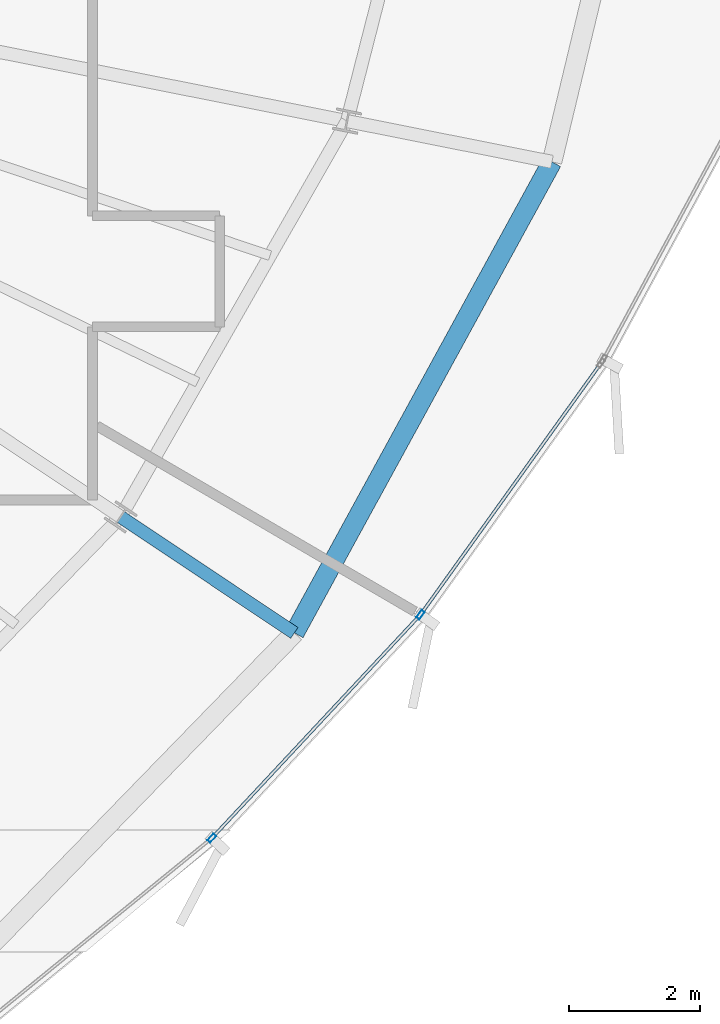
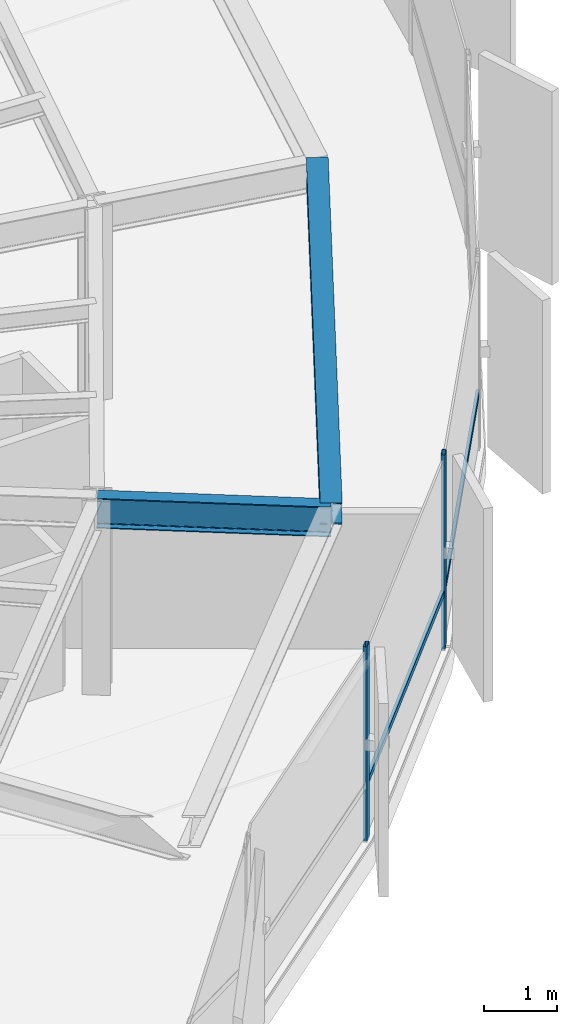
# One storey, part 15 of 36: 4 members, 2 beams, 1 element without a shape of its own.
"""IFC4 building model written with IfcOpenShell, lengths in metres."""

from ifc_helpers import new_model, si_unit, direction, frame, origin, origin_2d, place, context, subcontext, project, spatial, hollow_rectangle, i_section, extrude, source, transform, mapped, material, layer, layer_set, material_profile, profile_set, type_object, element, aggregate, save


model = new_model("IFC4")

# Units and contexts
model_context = context("Model", 3, precision=1e-05, world=origin(), true_north=direction((0.0, 1.0)))
body_context = subcontext(model_context, "Body", "Model", "MODEL_VIEW")
ifc_project = project(units=[si_unit("LENGTHUNIT", "METRE"), si_unit("AREAUNIT", "SQUARE_METRE"), si_unit("VOLUMEUNIT", "CUBIC_METRE"), si_unit("PLANEANGLEUNIT", "RADIAN"), si_unit("MASSUNIT", "GRAM", prefix="KILO"), si_unit("THERMODYNAMICTEMPERATUREUNIT", "KELVIN")], contexts=[model_context])

# Site, building, storey
site_placement = place(None, origin())
site = spatial("IfcSite", under=ifc_project, at=site_placement, CompositionType="ELEMENT")
building_placement = place(site_placement, origin())
building = spatial("IfcBuilding", under=site, at=building_placement, Name="Kethvar Cultural Tower", CompositionType="ELEMENT")
storey_placement = place(building_placement, frame((0.0, 0.0, 176.39990234375)))
storey = spatial("IfcBuildingStorey", under=building, at=storey_placement, Name="L45", CompositionType="ELEMENT", Elevation=176.39990234375)

# Beams
ifc_material_1 = material(Name="Steel S355J2", Category="steel")
ifc_material_profile_1 = material_profile(ifc_material_1, i_section(OverallWidth=0.199951171875, OverallDepth=0.5, WebThickness=0.01025390625, FlangeThickness=0.01611328125, FilletRadius=0.02099609375, at=origin_2d()), Name="Steel S355J2 — IPE500")
ifc_profile_set_1 = profile_set([ifc_material_profile_1], Name="Steel S355J2 — IPE500")
beam_type_1 = type_object("IfcBeamType", Name="BM-IPE500", PredefinedType="BEAM", material=ifc_profile_set_1)
shared_shape_1 = source(origin(), body_context, "Body", "SweptSolid", [
    extrude(i_section(OverallWidth=0.199951171875, OverallDepth=0.5, WebThickness=0.01025390625, FlangeThickness=0.01611328125, FilletRadius=0.02099609375, at=origin_2d()), origin(), (0.0, 0.0, 1.0), 3.199951171875),
])
beam_1_placement = place(storey_placement, frame((61.1826171875, 18.18994140625, 3.008056640625), z_axis=(0.831462943996, -0.555580212716, 0.0), x_axis=(0.555580212716, 0.831462943996, 0.0)))
element("IfcBeam", 1, at=beam_1_placement, inside=storey, type_object=beam_type_1, Name="L45 Perimeter Cantilever Beam RC-15", PredefinedType="BEAM", context=body_context, shape_type="MappedRepresentation", body=[
    mapped(shared_shape_1, transform((0.0, 0.0, 0.0), scale=1.0)),
])
ifc_material_profile_2 = material_profile(ifc_material_1, i_section(OverallWidth=0.300048828125, OverallDepth=0.360107421875, WebThickness=0.012451171875, FlangeThickness=0.0224609375, FilletRadius=0.027099609375, at=origin_2d()), Name="Steel S355J2 — HEB360")
ifc_profile_set_2 = profile_set([ifc_material_profile_2], Name="Steel S355J2 — HEB360")
beam_type_2 = type_object("IfcBeamType", Name="BM-SP360", PredefinedType="SPANDREL", material=ifc_profile_set_2)
shared_shape_2 = source(origin(), body_context, "Body", "SweptSolid", [
    extrude(i_section(OverallWidth=0.300048828125, OverallDepth=0.360107421875, WebThickness=0.012451171875, FlangeThickness=0.0224609375, FilletRadius=0.027099609375, at=origin_2d()), origin(), (0.0, 0.0, 1.0), 8.22119140625),
])
beam_2_placement = place(storey_placement, frame((63.84326171875, 16.412109375, 3.078125), z_axis=(0.479721613821, 0.8774207504, 0.0), x_axis=(-0.8774207504, 0.479721613821, 0.0)))
element("IfcBeam", 2, at=beam_2_placement, inside=storey, type_object=beam_type_2, Name="L45 Perimeter Spandrel Beam SP-15", PredefinedType="SPANDREL", context=body_context, shape_type="MappedRepresentation", body=[
    mapped(shared_shape_2, transform((0.0, 0.0, 0.0), scale=1.0)),
])

# Curtain wall, members
ifc_material_2 = material(Name="Aluminium 6063-T6", Category="aluminium")
ifc_layer = layer(ifc_material_2, 0.179931640625, Name="Aluminium 6063-T6", Category="aluminium")
ifc_layer_set = layer_set([ifc_layer], Name="Aluminium 6063-T6 (180 mm)")
curtain_wall_type = type_object("IfcCurtainWallType", Name="CW-SYS-04-Z34", PredefinedType="NOTDEFINED", material=ifc_layer_set)
curtain_wall_placement = place(storey_placement, origin())
curtain_wall = element("IfcCurtainWall", 3, at=curtain_wall_placement, inside=storey, type_object=curtain_wall_type, Name="L45 Curtain Wall Run 05", PredefinedType="NOTDEFINED")
ifc_material_profile_3 = material_profile(ifc_material_2, hollow_rectangle(XDim=0.06005859375, YDim=0.139892578125, WallThickness=0.0048828125, at=origin_2d()), Name="Aluminium 6063-T6 — RHS140x60x5")
ifc_profile_set_3 = profile_set([ifc_material_profile_3], Name="Aluminium 6063-T6 — RHS140x60x5")
member_type_1 = type_object("IfcMemberType", Name="CW-SYS-04-Z34-MUL", PredefinedType="MULLION", material=ifc_profile_set_3)
shared_shape_3 = source(origin(), body_context, "Body", "SweptSolid", [
    extrude(hollow_rectangle(XDim=0.06005859375, YDim=0.139892578125, WallThickness=0.0048828125, at=origin_2d()), origin(), (0.0, 0.0, 1.0), 3.260009765625),
])
member_1_placement = place(storey_placement, frame((62.578125, 13.270263671875, 0.0), z_axis=(0.0, 0.0, 1.0), x_axis=(-0.73091313383, 0.682470505439, 0.0)))
member_1 = element("IfcMember", 4, at=member_1_placement, type_object=member_type_1, Name="CW-L45-R05 Mullion 5", PredefinedType="MULLION", context=body_context, shape_type="MappedRepresentation", body=[
    mapped(shared_shape_3, transform((0.0, 0.0, 0.0), scale=1.0)),
])
member_2_placement = place(storey_placement, frame((65.7734375, 16.69091796875, 0.0), z_axis=(0.0, 0.0, 1.0), x_axis=(-0.812592453382, 0.582832312683, 0.0)))
member_2 = element("IfcMember", 5, at=member_2_placement, type_object=member_type_1, Name="CW-L45-R05 Mullion 6", PredefinedType="MULLION", context=body_context, shape_type="MappedRepresentation", body=[
    mapped(shared_shape_3, transform((0.0, 0.0, 0.0), scale=1.0)),
])
ifc_material_profile_4 = material_profile(ifc_material_2, hollow_rectangle(XDim=0.050048828125, YDim=0.10009765625, WallThickness=0.00390625, at=origin_2d()), Name="Aluminium 6063-T6 — RHS100x50x4")
ifc_profile_set_4 = profile_set([ifc_material_profile_4], Name="Aluminium 6063-T6 — RHS100x50x4")
member_type_2 = type_object("IfcMemberType", Name="CW-SYS-04-Z34-TRN", PredefinedType="USERDEFINED", material=ifc_profile_set_4)
shared_shape_4 = source(origin(), body_context, "Body", "SweptSolid", [
    extrude(hollow_rectangle(XDim=0.050048828125, YDim=0.10009765625, WallThickness=0.00390625, at=origin_2d()), origin(), (0.0, 0.0, 1.0), 4.608642578125),
])
member_3_placement = place(storey_placement, frame((62.607666015625, 13.3017578125, 0.9501953125), z_axis=(0.682456019354, 0.730926659555, 0.0), x_axis=(-0.730926659555, 0.682456019354, 0.0)))
member_3 = element("IfcMember", 6, at=member_3_placement, type_object=member_type_2, Name="CW-L45-R05 Transom 5", ObjectType="TRANSOM", PredefinedType="USERDEFINED", context=body_context, shape_type="MappedRepresentation", body=[
    mapped(shared_shape_4, transform((0.0, 0.0, 0.0), scale=1.0)),
])
shared_shape_5 = source(origin(), body_context, "Body", "SweptSolid", [
    extrude(hollow_rectangle(XDim=0.050048828125, YDim=0.10009765625, WallThickness=0.00390625, at=origin_2d()), origin(), (0.0, 0.0, 1.0), 4.693603515625),
])
member_4_placement = place(storey_placement, frame((65.798583984375, 16.72607421875, 0.9501953125), z_axis=(0.582836203467, 0.812589662701, 0.0), x_axis=(-0.812589662701, 0.582836203467, 0.0)))
member_4 = element("IfcMember", 7, at=member_4_placement, type_object=member_type_2, Name="CW-L45-R05 Transom 6", ObjectType="TRANSOM", PredefinedType="USERDEFINED", context=body_context, shape_type="MappedRepresentation", body=[
    mapped(shared_shape_5, transform((0.0, 0.0, 0.0), scale=1.0)),
])
aggregate(curtain_wall, [member_1, member_2, member_3, member_4])

save(model, "model.ifc")
